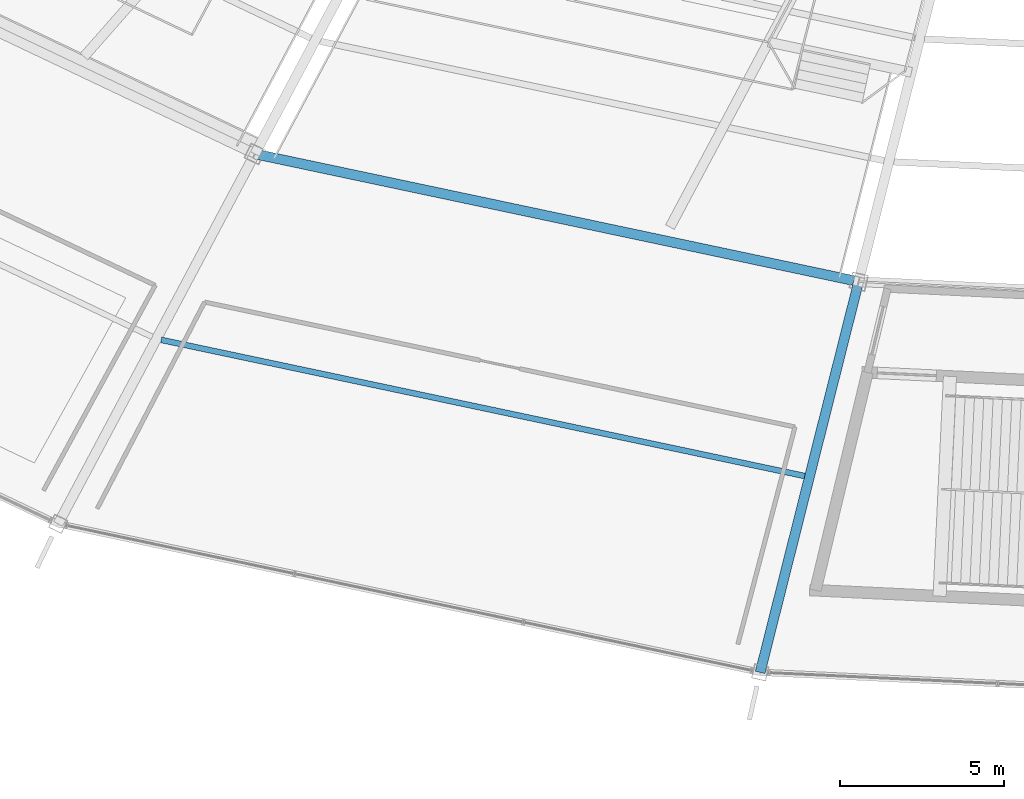
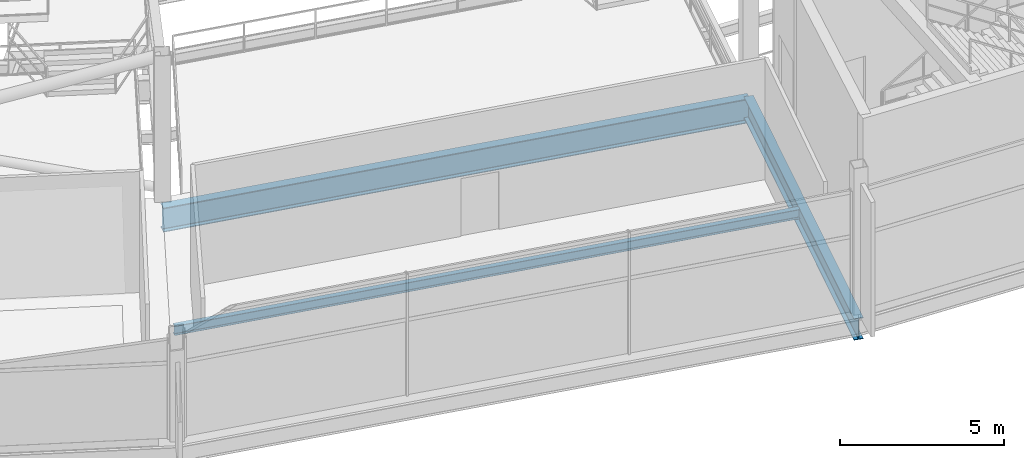
# One storey, part 28 of 186: 3 beams.
"""IFC4 building model written with IfcOpenShell, lengths in metres."""

from ifc_helpers import new_model, si_unit, direction, frame, origin, origin_2d, place, context, subcontext, project, spatial, i_section, extrude, material, material_profile, profile_set, type_object, element, save


model = new_model("IFC4")

# Units and contexts
model_context = context("Model", 3, precision=1e-05, world=origin(), true_north=direction((0.0, 1.0)))
body_context = subcontext(model_context, "Body", "Model", "MODEL_VIEW")
ifc_project = project(units=[si_unit("LENGTHUNIT", "METRE"), si_unit("AREAUNIT", "SQUARE_METRE"), si_unit("VOLUMEUNIT", "CUBIC_METRE"), si_unit("PLANEANGLEUNIT", "RADIAN"), si_unit("MASSUNIT", "GRAM", prefix="KILO")], contexts=[model_context])

# Site, building, storey
site_placement = place(None, origin())
site = spatial("IfcSite", under=ifc_project, at=site_placement, CompositionType="ELEMENT")
building_placement = place(site_placement, origin())
building = spatial("IfcBuilding", under=site, at=building_placement, Name="Kazemori Nagisa Stadium", CompositionType="ELEMENT")
storey_placement = place(building_placement, frame((0.0, 0.0, 20.39990234375)))
storey = spatial("IfcBuildingStorey", under=building, at=storey_placement, Name="L04", CompositionType="ELEMENT", Elevation=20.39990234375)

# Beams
ifc_material = material(Name="Steel SN490B", Category="steel")
ifc_material_profile_1 = material_profile(ifc_material, i_section(OverallWidth=0.300048828125, OverallDepth=0.800048828125, WebThickness=0.013916015625, FlangeThickness=0.02587890625, FilletRadius=0.01806640625, at=origin_2d()), Name="H-800x300x14x26")
ifc_profile_set_1 = profile_set([ifc_material_profile_1], Name="Steel SN490B")
beam_type_1 = type_object("IfcBeamType", Name="Beam_BG-H800", PredefinedType="BEAM", material=ifc_profile_set_1)
beam_1_placement = place(storey_placement, frame((104.572265625, 28.911376953125, -0.699951171875), z_axis=(-0.244487324834, -0.969652488263, 0.0), x_axis=(0.969652488263, -0.244487324834, 0.0)))
element("IfcBeam", 1, at=beam_1_placement, inside=storey, type_object=beam_type_1, Name="Radial girder BG-H800 L04 R2-R3-21", PredefinedType="BEAM", context=body_context, shape_type="SweptSolid", body=[
    extrude(i_section(OverallWidth=0.300048828125, OverallDepth=0.800048828125, WebThickness=0.013916015625, FlangeThickness=0.02587890625, FilletRadius=0.01806640625, at=origin_2d()), origin(), (0.0, 0.0, 1.0), 12.2705078125),
])
ifc_material_profile_2 = material_profile(ifc_material, i_section(OverallWidth=0.300048828125, OverallDepth=0.89990234375, WebThickness=0.01611328125, FlangeThickness=0.028076171875, FilletRadius=0.01806640625, at=origin_2d()), Name="H-900x300x16x28")
ifc_profile_set_2 = profile_set([ifc_material_profile_2], Name="Steel SN490B")
beam_type_2 = type_object("IfcBeamType", Name="Beam_BG-H900", PredefinedType="BEAM", material=ifc_profile_set_2)
beam_2_placement = place(storey_placement, frame((86.18798828125, 32.80078125, -0.75), z_axis=(0.978345149833, -0.206980114499, 0.0), x_axis=(0.206980114499, 0.978345149833, 0.0)))
element("IfcBeam", 2, at=beam_2_placement, inside=storey, type_object=beam_type_2, Name="Ring girder BG-H900 L04 R2-20", PredefinedType="BEAM", context=body_context, shape_type="SweptSolid", body=[
    extrude(i_section(OverallWidth=0.300048828125, OverallDepth=0.89990234375, WebThickness=0.01611328125, FlangeThickness=0.028076171875, FilletRadius=0.01806640625, at=origin_2d()), origin(), (0.0, 0.0, 1.0), 18.791259765625),
])
ifc_material_profile_3 = material_profile(ifc_material, i_section(OverallWidth=0.175048828125, OverallDepth=0.35009765625, WebThickness=0.007080078125, FlangeThickness=0.010986328125, FilletRadius=0.012939453125, at=origin_2d()), Name="H-350x175x7x11")
ifc_profile_set_3 = profile_set([ifc_material_profile_3], Name="Steel SN490B")
beam_type_3 = type_object("IfcBeamType", Name="Beam_BJ-H350", PredefinedType="JOIST", material=ifc_profile_set_3)
beam_3_placement = place(storey_placement, frame((83.33349609375, 27.13818359375, -0.474853515625), z_axis=(0.978344719644, -0.20698214789, 0.0), x_axis=(0.20698214789, 0.978344719644, 0.0)))
element("IfcBeam", 3, at=beam_3_placement, inside=storey, type_object=beam_type_3, Name="Outer bay joist BJ-H350 L04 B20", PredefinedType="JOIST", context=body_context, shape_type="SweptSolid", body=[
    extrude(i_section(OverallWidth=0.175048828125, OverallDepth=0.35009765625, WebThickness=0.007080078125, FlangeThickness=0.010986328125, FilletRadius=0.012939453125, at=origin_2d()), origin(), (0.0, 0.0, 1.0), 20.03076171875),
])

save(model, "model.ifc")
